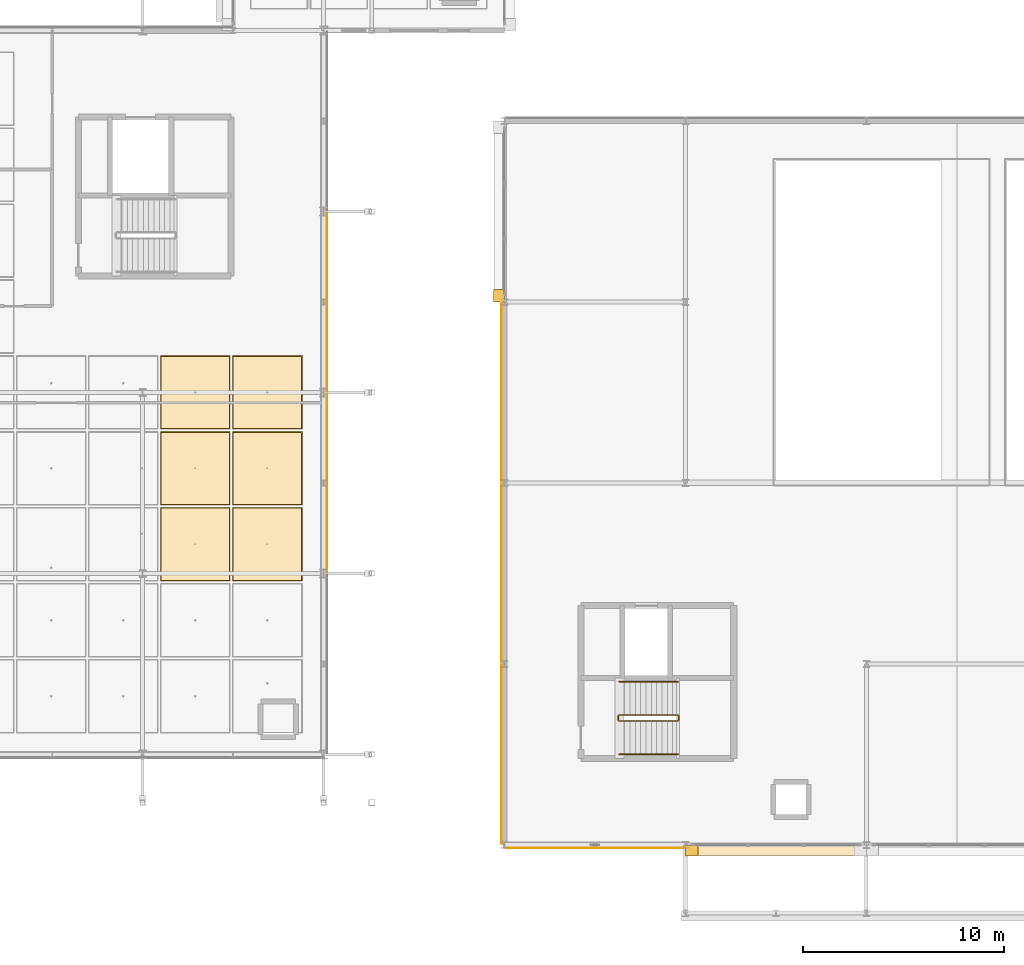
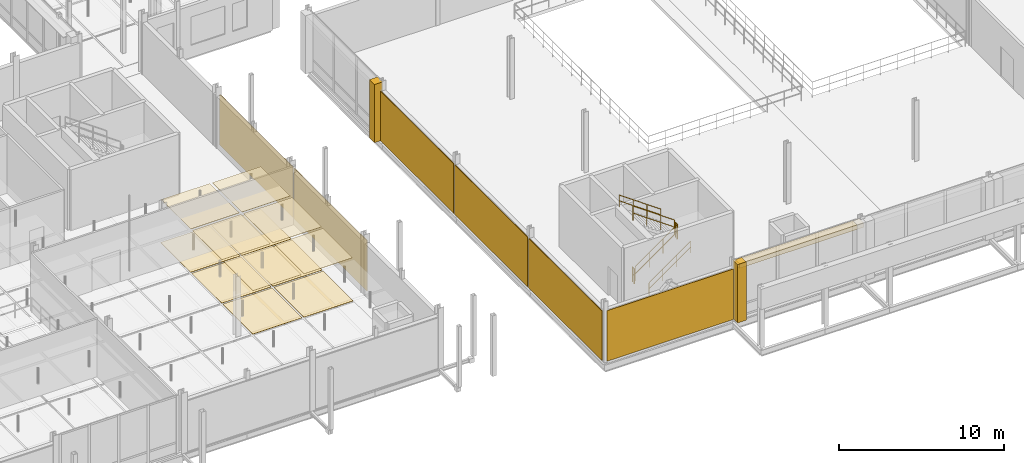
# One storey, part 120 of 130: 21 coverings, 6 railings.
"""IFC4 building model written with IfcOpenShell, lengths in metres."""

from ifc_helpers import new_model, si_unit, direction, frame, origin, origin_2d, place, context, subcontext, project, spatial, rectangle, circle, extrude, material, layer, layer_set, type_object, element, save


model = new_model("IFC4")

# Units and contexts
model_context = context("Model", 3, precision=1e-05, world=origin(), true_north=direction((0.0, 1.0)))
body_context = subcontext(model_context, "Body", "Model", "MODEL_VIEW")
ifc_project = project(units=[si_unit("LENGTHUNIT", "METRE"), si_unit("AREAUNIT", "SQUARE_METRE"), si_unit("VOLUMEUNIT", "CUBIC_METRE"), si_unit("PLANEANGLEUNIT", "RADIAN"), si_unit("MASSUNIT", "GRAM", prefix="KILO"), si_unit("THERMODYNAMICTEMPERATUREUNIT", "KELVIN"), si_unit("POWERUNIT", "WATT")], contexts=[model_context])

# Site, building, storey
site_placement = place(None, origin())
site = spatial("IfcSite", under=ifc_project, at=site_placement, CompositionType="ELEMENT")
building_placement = place(site_placement, origin())
building = spatial("IfcBuilding", under=site, at=building_placement, Name="Tallowbark Science Centre", CompositionType="ELEMENT")
storey_placement = place(building_placement, frame((0.0, 0.0, 5.39990234375)))
storey = spatial("IfcBuildingStorey", under=building, at=storey_placement, Name="L01", CompositionType="ELEMENT", Elevation=5.39990234375)

# Coverings
ifc_material_1 = material(Name="Perforated Spotted Gum Acoustic Baffle Ceiling", Category="wood")
ifc_layer_1 = layer(ifc_material_1, 0.02490234375)
ifc_layer_set_1 = layer_set([ifc_layer_1], Name="Perforated Spotted Gum Acoustic Baffle Ceiling")
covering_type_1 = type_object("IfcCoveringType", Name="CLG-TIM-25", PredefinedType="CEILING", material=ifc_layer_set_1)
for number, where, z_axis, x_axis, name in (
    (1, (97.125, 14.9443359375, 3.187744140625), (0.0, 0.0, 1.0), (1.0, 0.0, 0.0), "Suspended Ceiling L01-555"),
    (2, (97.125, 18.72216796875, 3.187744140625), (0.0, 0.0, 1.0), (1.0, 0.0, 0.0), "Suspended Ceiling L01-556"),
    (3, (97.125, 22.5, 3.187744140625), (0.0, 0.0, 1.0), (1.0, 0.0, 0.0), "Suspended Ceiling L01-557"),
    (4, (100.708251953125, 14.9443359375, 3.187744140625), (0.0, 0.0, 1.0), (1.0, 0.0, 0.0), "Suspended Ceiling L01-560"),
    (5, (100.708251953125, 18.72216796875, 3.187744140625), (0.0, 0.0, 1.0), (1.0, 0.0, 0.0), "Suspended Ceiling L01-561"),
    (6, (100.708251953125, 22.5, 3.187744140625), (0.0, 0.0, 1.0), (1.0, 0.0, 0.0), "Suspended Ceiling L01-562"),
):
    element("IfcCovering", number, at=place(storey_placement, frame(where, z_axis=z_axis, x_axis=x_axis)), inside=storey, type_object=covering_type_1, Name=name, PredefinedType="CEILING", context=body_context, shape_type="SweptSolid", body=[
        extrude(rectangle(XDim=3.4033203125, YDim=3.597900390625, at=origin_2d()), origin(), (0.0, 0.0, 1.0), 0.02490234375),
    ])
ifc_material_2 = material(Name="White Architectural Precast Concrete Grade N40 (40 MPa)", Category="concrete")
ifc_layer_2 = layer(ifc_material_2, 0.1201171875)
ifc_layer_set_2 = layer_set([ifc_layer_2], Name="White Architectural Precast Concrete Grade N40 (40 MPa)")
covering_type_2 = type_object("IfcCoveringType", Name="COV-PRC-CLAD", PredefinedType="CLADDING", material=ifc_layer_set_2)
for number, where, z_axis, x_axis, name in (
    (7, (121.804931640625, -0.280029296875, 0.0), (0.0, 0.0, 1.0), (1.0, 0.0, 0.0), "Postmodern Deep Precast Pier CW-L01-002-1"),
    (8, (112.219970703125, 27.304931640625, 0.0), (0.0, 0.0, 1.0), (0.0, -1.0, 0.0), "Postmodern Deep Precast Pier CW-L01-005-2"),
):
    element("IfcCovering", number, at=place(storey_placement, frame(where, z_axis=z_axis, x_axis=x_axis)), inside=storey, type_object=covering_type_2, Name=name, PredefinedType="CLADDING", context=body_context, shape_type="SweptSolid", body=[
        extrude(rectangle(XDim=0.610107421875, YDim=0.56005859375, at=origin_2d()), origin(), (0.0, 0.0, 1.0), 4.320068359375),
    ])
ifc_material_3 = material(Name="Vitrified Ochre Terracotta Architectural Rainscreen", Category="masonry")
ifc_layer_3 = layer(ifc_material_3, 0.0380859375)
ifc_layer_set_3 = layer_set([ifc_layer_3], Name="Vitrified Ochre Terracotta Architectural Rainscreen")
covering_type_3 = type_object("IfcCoveringType", Name="COV-TER-CLAD", PredefinedType="CLADDING", material=ifc_layer_set_3)
covering_1_placement = place(storey_placement, frame((117.0, -0.151611328125, 0.050048828125), z_axis=(0.0, 0.0, 1.0), x_axis=(1.0, 0.0, 0.0)))
element("IfcCovering", 9, at=covering_1_placement, inside=storey, type_object=covering_type_3, Name="Architectural Rainscreen THT-S-L01-0", PredefinedType="CLADDING", context=body_context, shape_type="SweptSolid", body=[
    extrude(rectangle(XDim=8.8798828125, YDim=0.0380859375, at=origin_2d()), origin(), (0.0, 0.0, 1.0), 3.74609375),
])
covering_2_placement = place(storey_placement, frame((126.0, -0.260009765625, 3.97021484375), z_axis=(0.0, 0.0, 1.0), x_axis=(1.0, 0.0, 0.0)))
element("IfcCovering", 10, at=covering_2_placement, inside=storey, type_object=covering_type_3, Name="Postmodern Terracotta Cornice Band CW-L01-002", PredefinedType="CLADDING", context=body_context, shape_type="SweptSolid", body=[
    extrude(rectangle(XDim=8.699951171875, YDim=0.52001953125, at=origin_2d()), origin(), (0.0, 0.0, 1.0), 0.340087890625),
])
for number, where, z_axis, x_axis, name in (
    (11, (112.348388671875, 4.5, 0.050048828125), (0.0, 0.0, 1.0), (0.0, -1.0, 0.0), "Architectural Rainscreen THT-W-L01-0"),
    (12, (112.348388671875, 13.5, 0.050048828125), (0.0, 0.0, 1.0), (0.0, -1.0, 0.0), "Architectural Rainscreen THT-W-L01-1"),
    (13, (112.348388671875, 22.5, 0.050048828125), (0.0, 0.0, 1.0), (0.0, -1.0, 0.0), "Architectural Rainscreen THT-W-L01-2"),
):
    element("IfcCovering", number, at=place(storey_placement, frame(where, z_axis=z_axis, x_axis=x_axis)), inside=storey, type_object=covering_type_3, Name=name, PredefinedType="CLADDING", context=body_context, shape_type="SweptSolid", body=[
        extrude(rectangle(XDim=8.8798828125, YDim=0.0380859375, at=origin_2d()), origin(), (0.0, 0.0, 1.0), 3.68115234375),
    ])
ifc_material_4 = material(Name="Spotted Gum Hardwood Architectural Rainscreen", Category="wood")
ifc_layer_4 = layer(ifc_material_4, 0.0419921875)
ifc_layer_set_4 = layer_set([ifc_layer_4], Name="Spotted Gum Hardwood Architectural Rainscreen")
covering_type_4 = type_object("IfcCoveringType", Name="COV-TIM-CLAD", PredefinedType="CLADDING", material=ifc_layer_set_4)
for number, where, z_axis, x_axis, name in (
    (14, (103.66845703125, 18.0, 0.050048828125), (0.0, 0.0, 1.0), (0.0, 1.0, 0.0), "Architectural Rainscreen CUB-E-L01-1"),
    (15, (103.66845703125, 27.0, 0.050048828125), (0.0, 0.0, 1.0), (0.0, 1.0, 0.0), "Architectural Rainscreen CUB-E-L01-2"),
):
    element("IfcCovering", number, at=place(storey_placement, frame(where, z_axis=z_axis, x_axis=x_axis)), inside=storey, type_object=covering_type_4, Name=name, PredefinedType="CLADDING", context=body_context, shape_type="SweptSolid", body=[
        extrude(rectangle(XDim=8.8798828125, YDim=0.0419921875, at=origin_2d()), origin(), (0.0, 0.0, 1.0), 3.74609375),
    ])
ifc_material_5 = material(Name="Engineered Blackbutt Gallery Timber Flooring", Category="wood")
ifc_layer_5 = layer(ifc_material_5, 0.02197265625)
ifc_layer_set_5 = layer_set([ifc_layer_5], Name="Engineered Blackbutt Gallery Timber Flooring")
covering_type_5 = type_object("IfcCoveringType", Name="FLR-TIM-22", PredefinedType="FLOORING", material=ifc_layer_set_5)
for number, where, z_axis, x_axis, name in (
    (16, (97.125, 14.9443359375, 0.0), (0.0, 0.0, 1.0), (1.0, 0.0, 0.0), "Floor Finish L01-555"),
    (17, (97.125, 18.72216796875, 0.0), (0.0, 0.0, 1.0), (1.0, 0.0, 0.0), "Floor Finish L01-556"),
    (18, (97.125, 22.5, 0.0), (0.0, 0.0, 1.0), (1.0, 0.0, 0.0), "Floor Finish L01-557"),
    (19, (100.708251953125, 14.9443359375, 0.0), (0.0, 0.0, 1.0), (1.0, 0.0, 0.0), "Floor Finish L01-560"),
    (20, (100.708251953125, 18.72216796875, 0.0), (0.0, 0.0, 1.0), (1.0, 0.0, 0.0), "Floor Finish L01-561"),
    (21, (100.708251953125, 22.5, 0.0), (0.0, 0.0, 1.0), (1.0, 0.0, 0.0), "Floor Finish L01-562"),
):
    element("IfcCovering", number, at=place(storey_placement, frame(where, z_axis=z_axis, x_axis=x_axis)), inside=storey, type_object=covering_type_5, Name=name, PredefinedType="FLOORING", context=body_context, shape_type="SweptSolid", body=[
        extrude(rectangle(XDim=3.46337890625, YDim=3.65771484375, at=origin_2d()), origin(), (0.0, 0.0, 1.0), 0.02197265625),
    ])

# Railings
ifc_material_6 = material(Name="Galvanised Painted Steel and Laminated Glass Balustrade", Category="steel")
ifc_layer_6 = layer(ifc_material_6, 0.070068359375)
ifc_layer_set_6 = layer_set([ifc_layer_6], Name="Galvanised Painted Steel and Laminated Glass Balustrade")
railing_type_1 = type_object("IfcRailingType", Name="RLG-BAL-1150", PredefinedType="BALUSTRADE", material=ifc_layer_set_6)
railing_1_placement = place(storey_placement, frame((118.2099609375, 6.159912109375, 0.1875)))
element("IfcRailing", 22, at=railing_1_placement, inside=storey, type_object=railing_type_1, Name="L01 ST-06 stair guard 1", PredefinedType="BALUSTRADE", context=body_context, shape_type="SweptSolid", body=[
    extrude(circle(Radius=0.02392578125, at=origin_2d()), frame((0.0, 0.0, 1.076171875), z_axis=(0.816330724661, 0.0, 0.577584753931), x_axis=(0.0, 1.0, 0.0)), (0.0, 0.0, 1.0), 3.57080078125),
    extrude(circle(Radius=0.02392578125, at=origin_2d()), frame((0.0, 0.0, 0.550048828125), z_axis=(0.816330724661, 0.0, 0.577584753931), x_axis=(0.0, 1.0, 0.0)), (0.0, 0.0, 1.0), 3.57080078125),
    extrude(circle(Radius=0.02099609375, at=origin_2d()), origin(), (0.0, 0.0, 1.0), 1.052001953125),
    extrude(circle(Radius=0.02099609375, at=origin_2d()), frame((0.9716796875, 0.0, 0.6875)), (0.0, 0.0, 1.0), 1.052001953125),
    extrude(circle(Radius=0.02099609375, at=origin_2d()), frame((1.943359375, 0.0, 1.375)), (0.0, 0.0, 1.0), 1.052001953125),
    extrude(circle(Radius=0.02099609375, at=origin_2d()), frame((2.9150390625, 0.0, 2.0625)), (0.0, 0.0, 1.0), 1.052001953125),
])
railing_2_placement = place(storey_placement, frame((121.175048828125, 6.2099609375, 2.25)))
element("IfcRailing", 23, at=railing_2_placement, inside=storey, type_object=railing_type_1, Name="L01 ST-06 stair guard 2", PredefinedType="BALUSTRADE", context=body_context, shape_type="SweptSolid", body=[
    extrude(circle(Radius=0.02392578125, at=origin_2d()), frame((0.0, 0.0, 1.076171875), z_axis=(0.0, 1.0, 0.0), x_axis=(-1.0, 0.0, 0.0)), (0.0, 0.0, 1.0), 0.199951171875),
    extrude(circle(Radius=0.02392578125, at=origin_2d()), frame((0.0, 0.0, 0.550048828125), z_axis=(0.0, 1.0, 0.0), x_axis=(-1.0, 0.0, 0.0)), (0.0, 0.0, 1.0), 0.199951171875),
    extrude(circle(Radius=0.02099609375, at=origin_2d()), origin(), (0.0, 0.0, 1.0), 1.052001953125),
    extrude(circle(Radius=0.02099609375, at=origin_2d()), frame((0.0, 0.199951171875, 0.0)), (0.0, 0.0, 1.0), 1.052001953125),
])
railing_3_placement = place(storey_placement, frame((121.125, 6.4599609375, 2.4375)))
element("IfcRailing", 24, at=railing_3_placement, inside=storey, type_object=railing_type_1, Name="L01 ST-06 stair guard 3", PredefinedType="BALUSTRADE", context=body_context, shape_type="SweptSolid", body=[
    extrude(circle(Radius=0.02392578125, at=origin_2d()), frame((0.0, 0.0, 1.076171875), z_axis=(-0.816330724661, 0.0, 0.577584753931), x_axis=(0.0, -1.0, 0.0)), (0.0, 0.0, 1.0), 3.57080078125),
    extrude(circle(Radius=0.02392578125, at=origin_2d()), frame((0.0, 0.0, 0.550048828125), z_axis=(-0.816330724661, 0.0, 0.577584753931), x_axis=(0.0, -1.0, 0.0)), (0.0, 0.0, 1.0), 3.57080078125),
    extrude(circle(Radius=0.02099609375, at=origin_2d()), origin(), (0.0, 0.0, 1.0), 1.052001953125),
    extrude(circle(Radius=0.02099609375, at=origin_2d()), frame((-0.9716796875, 0.0, 0.6875)), (0.0, 0.0, 1.0), 1.052001953125),
    extrude(circle(Radius=0.02099609375, at=origin_2d()), frame((-1.943359375, 0.0, 1.375)), (0.0, 0.0, 1.0), 1.052001953125),
    extrude(circle(Radius=0.02099609375, at=origin_2d()), frame((-2.9150390625, 0.0, 2.0625)), (0.0, 0.0, 1.0), 1.052001953125),
])
railing_4_placement = place(storey_placement, frame((118.159912109375, 6.2099609375, 0.0)))
element("IfcRailing", 25, at=railing_4_placement, inside=storey, type_object=railing_type_1, Name="L01 ST-06 stair guard 4", PredefinedType="BALUSTRADE", context=body_context, shape_type="SweptSolid", body=[
    extrude(circle(Radius=0.02392578125, at=origin_2d()), frame((0.0, 0.0, 1.076171875), z_axis=(0.0, 1.0, 0.0), x_axis=(-1.0, 0.0, 0.0)), (0.0, 0.0, 1.0), 0.199951171875),
    extrude(circle(Radius=0.02392578125, at=origin_2d()), frame((0.0, 0.0, 0.550048828125), z_axis=(0.0, 1.0, 0.0), x_axis=(-1.0, 0.0, 0.0)), (0.0, 0.0, 1.0), 0.199951171875),
    extrude(circle(Radius=0.02099609375, at=origin_2d()), origin(), (0.0, 0.0, 1.0), 1.052001953125),
    extrude(circle(Radius=0.02099609375, at=origin_2d()), frame((0.0, 0.199951171875, 0.0)), (0.0, 0.0, 1.0), 1.052001953125),
])
ifc_material_7 = material(Name="Brushed Grade 316 Stainless Steel Handrail", Category="steel")
ifc_layer_7 = layer(ifc_material_7, 0.050048828125)
ifc_layer_set_7 = layer_set([ifc_layer_7], Name="Brushed Grade 316 Stainless Steel Handrail")
railing_type_2 = type_object("IfcRailingType", Name="RLG-HDR-950", PredefinedType="HANDRAIL", material=ifc_layer_set_7)
railing_5_placement = place(storey_placement, frame((118.2099609375, 4.5, 0.1875)))
element("IfcRailing", 26, at=railing_5_placement, inside=storey, type_object=railing_type_2, Name="L01 ST-06 stair handrail 1", PredefinedType="HANDRAIL", context=body_context, shape_type="SweptSolid", body=[
    extrude(circle(Radius=0.02392578125, at=origin_2d()), frame((0.0, 0.0, 0.8759765625), z_axis=(0.816330724661, 0.0, 0.577584753931), x_axis=(0.0, 1.0, 0.0)), (0.0, 0.0, 1.0), 3.57080078125),
    extrude(circle(Radius=0.02392578125, at=origin_2d()), frame((0.0, 0.0, 0.449951171875), z_axis=(0.816330724661, 0.0, 0.577584753931), x_axis=(0.0, 1.0, 0.0)), (0.0, 0.0, 1.0), 3.57080078125),
    extrude(circle(Radius=0.02099609375, at=origin_2d()), origin(), (0.0, 0.0, 1.0), 0.851806640625),
    extrude(circle(Radius=0.02099609375, at=origin_2d()), frame((0.9716796875, 0.0, 0.6875)), (0.0, 0.0, 1.0), 0.851806640625),
    extrude(circle(Radius=0.02099609375, at=origin_2d()), frame((1.943359375, 0.0, 1.375)), (0.0, 0.0, 1.0), 0.851806640625),
    extrude(circle(Radius=0.02099609375, at=origin_2d()), frame((2.9150390625, 0.0, 2.0625)), (0.0, 0.0, 1.0), 0.851806640625),
])
railing_6_placement = place(storey_placement, frame((121.125, 8.1201171875, 2.4375)))
element("IfcRailing", 27, at=railing_6_placement, inside=storey, type_object=railing_type_2, Name="L01 ST-06 stair handrail 2", PredefinedType="HANDRAIL", context=body_context, shape_type="SweptSolid", body=[
    extrude(circle(Radius=0.02392578125, at=origin_2d()), frame((0.0, 0.0, 0.8759765625), z_axis=(-0.816330724661, 0.0, 0.577584753931), x_axis=(0.0, -1.0, 0.0)), (0.0, 0.0, 1.0), 3.57080078125),
    extrude(circle(Radius=0.02392578125, at=origin_2d()), frame((0.0, 0.0, 0.449951171875), z_axis=(-0.816330724661, 0.0, 0.577584753931), x_axis=(0.0, -1.0, 0.0)), (0.0, 0.0, 1.0), 3.57080078125),
    extrude(circle(Radius=0.02099609375, at=origin_2d()), origin(), (0.0, 0.0, 1.0), 0.851806640625),
    extrude(circle(Radius=0.02099609375, at=origin_2d()), frame((-0.9716796875, 0.0, 0.6875)), (0.0, 0.0, 1.0), 0.851806640625),
    extrude(circle(Radius=0.02099609375, at=origin_2d()), frame((-1.943359375, 0.0, 1.375)), (0.0, 0.0, 1.0), 0.851806640625),
    extrude(circle(Radius=0.02099609375, at=origin_2d()), frame((-2.9150390625, 0.0, 2.0625)), (0.0, 0.0, 1.0), 0.851806640625),
])

save(model, "model.ifc")
